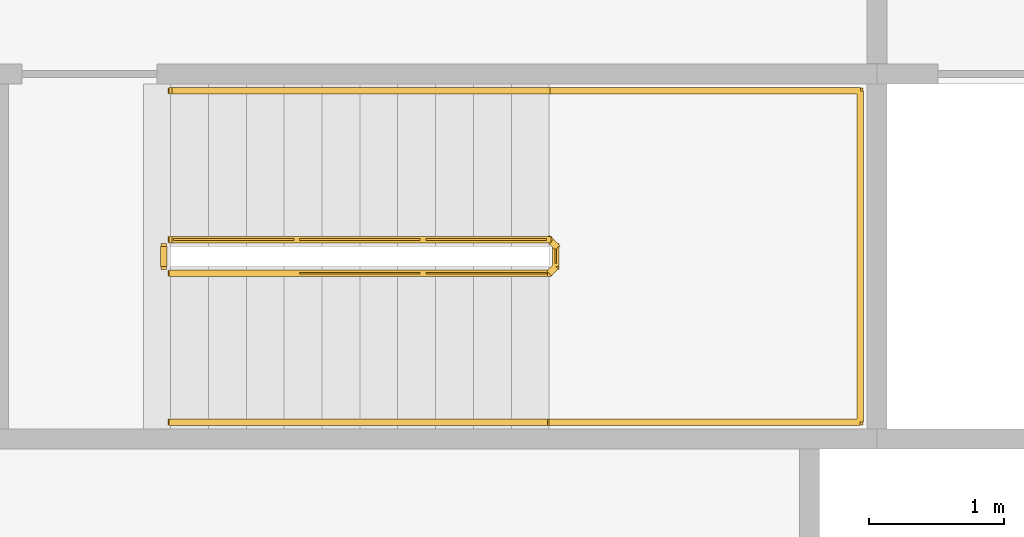
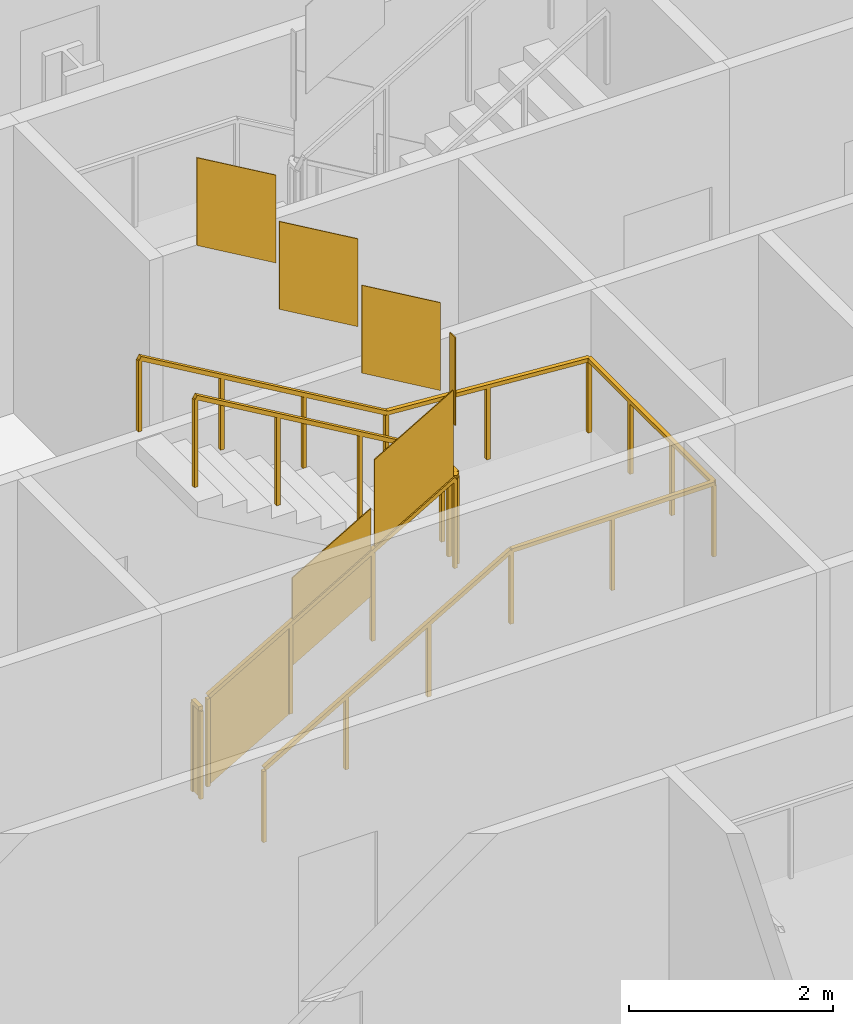
# One storey, part 17 of 22: 3 railings.
"""IFC4 building model written with IfcOpenShell, lengths in metres."""

from ifc_helpers import new_model, si_unit, direction, frame, origin, origin_2d, place, context, subcontext, project, spatial, polyline, rectangle, outline, extrude, material, type_object, element, save


model = new_model("IFC4")

# Units and contexts
model_context = context("Model", 3, precision=1e-05, world=origin(), true_north=direction((0.0, 1.0)))
body_context = subcontext(model_context, "Body", "Model", "MODEL_VIEW")
ifc_project = project(units=[si_unit("LENGTHUNIT", "METRE"), si_unit("AREAUNIT", "SQUARE_METRE"), si_unit("VOLUMEUNIT", "CUBIC_METRE"), si_unit("PLANEANGLEUNIT", "RADIAN"), si_unit("MASSUNIT", "GRAM", prefix="KILO")], contexts=[model_context])

# Site, building, storey
site_placement = place(None, origin())
site = spatial("IfcSite", under=ifc_project, at=site_placement, CompositionType="ELEMENT")
building_placement = place(site_placement, origin())
building = spatial("IfcBuilding", under=site, at=building_placement, Name="Cairn Pilgrim Tower", CompositionType="ELEMENT")
storey_placement = place(building_placement, frame((0.0, 0.0, 147.0)))
storey = spatial("IfcBuildingStorey", under=building, at=storey_placement, Name="L36", CompositionType="ELEMENT", Elevation=147.0)

# Railings
ifc_material = material(Name="Painted steel", Category="steel")
railing_type_1 = type_object("IfcRailingType", Name="STAIR GUARD 1100", PredefinedType="GUARDRAIL", material=ifc_material)
railing_1_placement = place(storey_placement, frame((4.47509765625, 3.425048828125, 0.16357421875)))
element("IfcRailing", 1, at=railing_1_placement, inside=storey, type_object=railing_type_1, Name="L36 ST-B stair guard 1", PredefinedType="GUARDRAIL", context=body_context, shape_type="SweptSolid", body=[
    extrude(rectangle(XDim=0.048095703125, YDim=0.048095703125, at=origin_2d()), frame((0.0, 0.0, 1.076171875), z_axis=(0.863341702679, 0.0, 0.504619762213), x_axis=(0.0, 1.0, 0.0)), (0.0, 0.0, 1.0), 3.242919921875),
    extrude(rectangle(XDim=0.048095703125, YDim=0.048095703125, at=origin_2d()), frame((2.7998046875, 0.0, 2.71240234375), z_axis=(0.707106781187, 0.707106781187, 0.0), x_axis=(-0.707106781187, 0.707106781187, 0.0)), (0.0, 0.0, 1.0), 0.07080078125),
    extrude(rectangle(XDim=0.048095703125, YDim=0.048095703125, at=origin_2d()), frame((2.849853515625, 0.050048828125, 2.71240234375), z_axis=(0.0, 1.0, 0.0), x_axis=(-1.0, 0.0, 0.0)), (0.0, 0.0, 1.0), 0.14990234375),
    extrude(rectangle(XDim=0.048095703125, YDim=0.048095703125, at=origin_2d()), frame((2.849853515625, 0.199951171875, 2.71240234375), z_axis=(-0.280808744504, 0.280808744504, 0.917765164963), x_axis=(-0.707106781187, -0.707106781187, 0.0)), (0.0, 0.0, 1.0), 0.17822265625),
    extrude(rectangle(XDim=0.048095703125, YDim=0.048095703125, at=origin_2d()), frame((2.7998046875, 0.25, 2.8759765625), z_axis=(-0.863341702679, 0.0, 0.504619762213), x_axis=(0.0, -1.0, 0.0)), (0.0, 0.0, 1.0), 3.242919921875),
    extrude(rectangle(XDim=0.0419921875, YDim=0.0419921875, at=origin_2d()), origin(), (0.0, 0.0, 1.0), 1.052001953125),
    extrude(rectangle(XDim=0.0419921875, YDim=0.0419921875, at=origin_2d()), frame((0.933349609375, 0.0, 0.54541015625)), (0.0, 0.0, 1.0), 1.052001953125),
    extrude(rectangle(XDim=0.0419921875, YDim=0.0419921875, at=origin_2d()), frame((1.866455078125, 0.0, 1.091064453125)), (0.0, 0.0, 1.0), 1.052001953125),
    extrude(rectangle(XDim=0.0419921875, YDim=0.0419921875, at=origin_2d()), frame((2.7998046875, 0.0, 1.636474609375)), (0.0, 0.0, 1.0), 1.052001953125),
    extrude(rectangle(XDim=0.0419921875, YDim=0.0419921875, at=origin_2d()), frame((2.849853515625, 0.050048828125, 1.636474609375)), (0.0, 0.0, 1.0), 1.052001953125),
    extrude(rectangle(XDim=0.0419921875, YDim=0.0419921875, at=origin_2d()), frame((2.849853515625, 0.199951171875, 1.636474609375)), (0.0, 0.0, 1.0), 1.052001953125),
    extrude(rectangle(XDim=0.0419921875, YDim=0.0419921875, at=origin_2d()), frame((2.7998046875, 0.25, 1.800048828125)), (0.0, 0.0, 1.0), 1.052001953125),
    extrude(rectangle(XDim=0.0419921875, YDim=0.0419921875, at=origin_2d()), frame((1.866455078125, 0.25, 2.345458984375)), (0.0, 0.0, 1.0), 1.052001953125),
    extrude(rectangle(XDim=0.0419921875, YDim=0.0419921875, at=origin_2d()), frame((0.933349609375, 0.25, 2.89111328125)), (0.0, 0.0, 1.0), 1.052001953125),
    extrude(rectangle(XDim=0.0419921875, YDim=0.0419921875, at=origin_2d()), frame((0.0, 0.25, 3.4365234375)), (0.0, 0.0, 1.0), 1.052001953125),
    extrude(outline(polyline([(0.02099609375, 0.01220703125), (0.912353515625, 0.533203125), (0.912353515625, 1.585205078125), (0.02099609375, 1.064208984375), (0.02099609375, 0.01220703125)])), frame((0.0, 0.005859375, 0.0), z_axis=(0.0, -1.0, 0.0), x_axis=(1.0, 0.0, 0.0)), (0.0, 0.0, 1.0), 0.011962890625),
    extrude(outline(polyline([(0.02099609375, 0.557861328125), (0.912353515625, 1.07861328125), (0.912353515625, 2.130615234375), (0.02099609375, 1.60986328125), (0.02099609375, 0.557861328125)])), frame((0.933349609375, 0.005859375, 0.54541015625), z_axis=(0.0, -1.0, 0.0), x_axis=(1.0, 0.0, 0.0)), (0.0, 0.0, 1.0), 0.011962890625),
    extrude(outline(polyline([(0.02099609375, 1.103271484375), (0.912353515625, 1.624267578125), (0.912353515625, 2.67626953125), (0.02099609375, 2.1552734375), (0.02099609375, 1.103271484375)])), frame((1.866455078125, 0.005859375, 1.091064453125), z_axis=(0.0, -1.0, 0.0), x_axis=(1.0, 0.0, 0.0)), (0.0, 0.0, 1.0), 0.011962890625),
    extrude(outline(polyline([(0.02099609375, 1.636474609375), (0.12890625, 1.636474609375), (0.12890625, 2.6884765625), (0.02099609375, 2.6884765625), (0.02099609375, 1.636474609375)])), frame((2.84375, 0.050048828125, 1.636474609375), z_axis=(1.0, 0.0, 0.0), x_axis=(0.0, 1.0, 0.0)), (0.0, 0.0, 1.0), 0.011962890625),
    extrude(outline(polyline([(0.02099609375, 1.812255859375), (0.912353515625, 2.333251953125), (0.912353515625, 3.38525390625), (0.02099609375, 2.8642578125), (0.02099609375, 1.812255859375)])), frame((2.7998046875, 0.244140625, 1.800048828125), z_axis=(0.0, 1.0, 0.0), x_axis=(-1.0, 0.0, 0.0)), (0.0, 0.0, 1.0), 0.011962890625),
    extrude(outline(polyline([(0.02099609375, 2.35791015625), (0.912353515625, 2.878662109375), (0.912353515625, 3.9306640625), (0.02099609375, 3.409912109375), (0.02099609375, 2.35791015625)])), frame((1.866455078125, 0.244140625, 2.345458984375), z_axis=(0.0, 1.0, 0.0), x_axis=(-1.0, 0.0, 0.0)), (0.0, 0.0, 1.0), 0.011962890625),
    extrude(outline(polyline([(0.02099609375, 2.9033203125), (0.912353515625, 3.42431640625), (0.912353515625, 4.476318359375), (0.02099609375, 3.955322265625), (0.02099609375, 2.9033203125)])), frame((0.933349609375, 0.244140625, 2.89111328125), z_axis=(0.0, 1.0, 0.0), x_axis=(-1.0, 0.0, 0.0)), (0.0, 0.0, 1.0), 0.011962890625),
])
railing_2_placement = place(storey_placement, frame((4.425048828125, 3.47509765625, 0.0)))
element("IfcRailing", 2, at=railing_2_placement, inside=storey, type_object=railing_type_1, Name="L36 ST-B stair guard 2", PredefinedType="GUARDRAIL", context=body_context, shape_type="SweptSolid", body=[
    extrude(rectangle(XDim=0.048095703125, YDim=0.048095703125, at=origin_2d()), frame((0.0, 0.0, 1.076171875), z_axis=(0.0, 1.0, 0.0), x_axis=(-1.0, 0.0, 0.0)), (0.0, 0.0, 1.0), 0.14990234375),
    extrude(rectangle(XDim=0.0419921875, YDim=0.0419921875, at=origin_2d()), origin(), (0.0, 0.0, 1.0), 1.052001953125),
    extrude(rectangle(XDim=0.0419921875, YDim=0.0419921875, at=origin_2d()), frame((0.0, 0.14990234375, 0.0)), (0.0, 0.0, 1.0), 1.052001953125),
    extrude(outline(polyline([(0.02099609375, 0.0), (0.12890625, 0.0), (0.12890625, 1.052001953125), (0.02099609375, 1.052001953125), (0.02099609375, 0.0)])), frame((-0.005859375, 0.0, 0.0), z_axis=(1.0, 0.0, 0.0), x_axis=(0.0, 1.0, 0.0)), (0.0, 0.0, 1.0), 0.011962890625),
])
railing_type_2 = type_object("IfcRailingType", Name="STAIR HANDRAIL 900", PredefinedType="HANDRAIL", material=ifc_material)
railing_3_placement = place(storey_placement, frame((4.47509765625, 2.324951171875, 0.16357421875)))
element("IfcRailing", 3, at=railing_3_placement, inside=storey, type_object=railing_type_2, Name="L36 ST-B stair handrail 1", PredefinedType="HANDRAIL", context=body_context, shape_type="SweptSolid", body=[
    extrude(rectangle(XDim=0.048095703125, YDim=0.048095703125, at=origin_2d()), frame((0.0, 0.0, 0.8759765625), z_axis=(0.863341702679, 0.0, 0.504619762213), x_axis=(0.0, 1.0, 0.0)), (0.0, 0.0, 1.0), 3.242919921875),
    extrude(rectangle(XDim=0.048095703125, YDim=0.048095703125, at=origin_2d()), frame((2.7998046875, 0.0, 2.51220703125), z_axis=(1.0, 0.0, 0.0), x_axis=(0.0, 1.0, 0.0)), (0.0, 0.0, 1.0), 2.300048828125),
    extrude(rectangle(XDim=0.048095703125, YDim=0.048095703125, at=origin_2d()), frame((5.099853515625, 0.0, 2.51220703125), z_axis=(0.0, 1.0, 0.0), x_axis=(-1.0, 0.0, 0.0)), (0.0, 0.0, 1.0), 2.449951171875),
    extrude(rectangle(XDim=0.048095703125, YDim=0.048095703125, at=origin_2d()), frame((5.099853515625, 2.449951171875, 2.51220703125), z_axis=(-0.997480687736, 0.0, 0.070938548008), x_axis=(0.0, -1.0, 0.0)), (0.0, 0.0, 1.0), 2.305908203125),
    extrude(rectangle(XDim=0.048095703125, YDim=0.048095703125, at=origin_2d()), frame((2.7998046875, 2.449951171875, 2.67578125), z_axis=(-0.863341702679, 0.0, 0.504619762213), x_axis=(0.0, -1.0, 0.0)), (0.0, 0.0, 1.0), 3.242919921875),
    extrude(rectangle(XDim=0.0419921875, YDim=0.0419921875, at=origin_2d()), origin(), (0.0, 0.0, 1.0), 0.851806640625),
    extrude(rectangle(XDim=0.0419921875, YDim=0.0419921875, at=origin_2d()), frame((0.933349609375, 0.0, 0.54541015625)), (0.0, 0.0, 1.0), 0.851806640625),
    extrude(rectangle(XDim=0.0419921875, YDim=0.0419921875, at=origin_2d()), frame((1.866455078125, 0.0, 1.091064453125)), (0.0, 0.0, 1.0), 0.851806640625),
    extrude(rectangle(XDim=0.0419921875, YDim=0.0419921875, at=origin_2d()), frame((2.7998046875, 0.0, 1.636474609375)), (0.0, 0.0, 1.0), 0.851806640625),
    extrude(rectangle(XDim=0.0419921875, YDim=0.0419921875, at=origin_2d()), frame((3.94970703125, 0.0, 1.636474609375)), (0.0, 0.0, 1.0), 0.851806640625),
    extrude(rectangle(XDim=0.0419921875, YDim=0.0419921875, at=origin_2d()), frame((5.099853515625, 0.0, 1.636474609375)), (0.0, 0.0, 1.0), 0.851806640625),
    extrude(rectangle(XDim=0.0419921875, YDim=0.0419921875, at=origin_2d()), frame((5.099853515625, 0.816650390625, 1.636474609375)), (0.0, 0.0, 1.0), 0.851806640625),
    extrude(rectangle(XDim=0.0419921875, YDim=0.0419921875, at=origin_2d()), frame((5.099853515625, 1.63330078125, 1.636474609375)), (0.0, 0.0, 1.0), 0.851806640625),
    extrude(rectangle(XDim=0.0419921875, YDim=0.0419921875, at=origin_2d()), frame((5.099853515625, 2.449951171875, 1.636474609375)), (0.0, 0.0, 1.0), 0.851806640625),
    extrude(rectangle(XDim=0.0419921875, YDim=0.0419921875, at=origin_2d()), frame((3.94970703125, 2.449951171875, 1.71826171875)), (0.0, 0.0, 1.0), 0.851806640625),
    extrude(rectangle(XDim=0.0419921875, YDim=0.0419921875, at=origin_2d()), frame((2.7998046875, 2.449951171875, 1.800048828125)), (0.0, 0.0, 1.0), 0.851806640625),
    extrude(rectangle(XDim=0.0419921875, YDim=0.0419921875, at=origin_2d()), frame((1.866455078125, 2.449951171875, 2.345458984375)), (0.0, 0.0, 1.0), 0.851806640625),
    extrude(rectangle(XDim=0.0419921875, YDim=0.0419921875, at=origin_2d()), frame((0.933349609375, 2.449951171875, 2.89111328125)), (0.0, 0.0, 1.0), 0.851806640625),
    extrude(rectangle(XDim=0.0419921875, YDim=0.0419921875, at=origin_2d()), frame((0.0, 2.449951171875, 3.4365234375)), (0.0, 0.0, 1.0), 0.851806640625),
])

save(model, "model.ifc")
